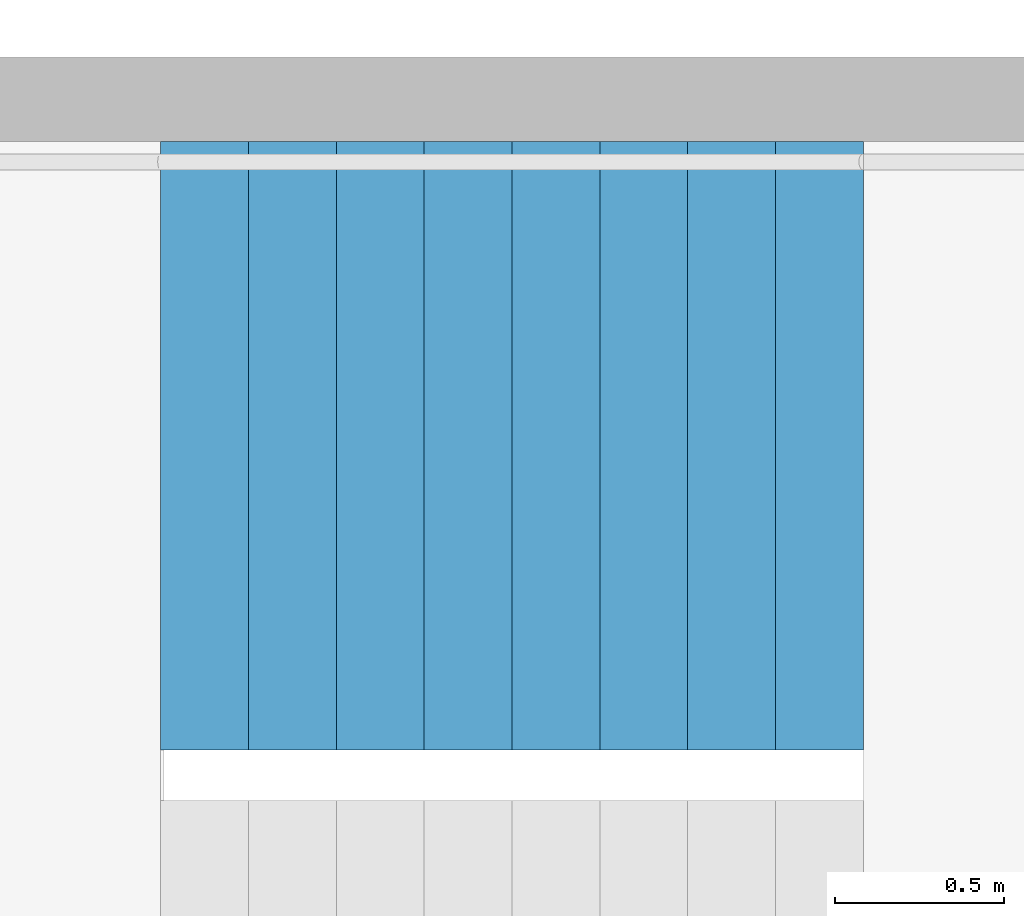
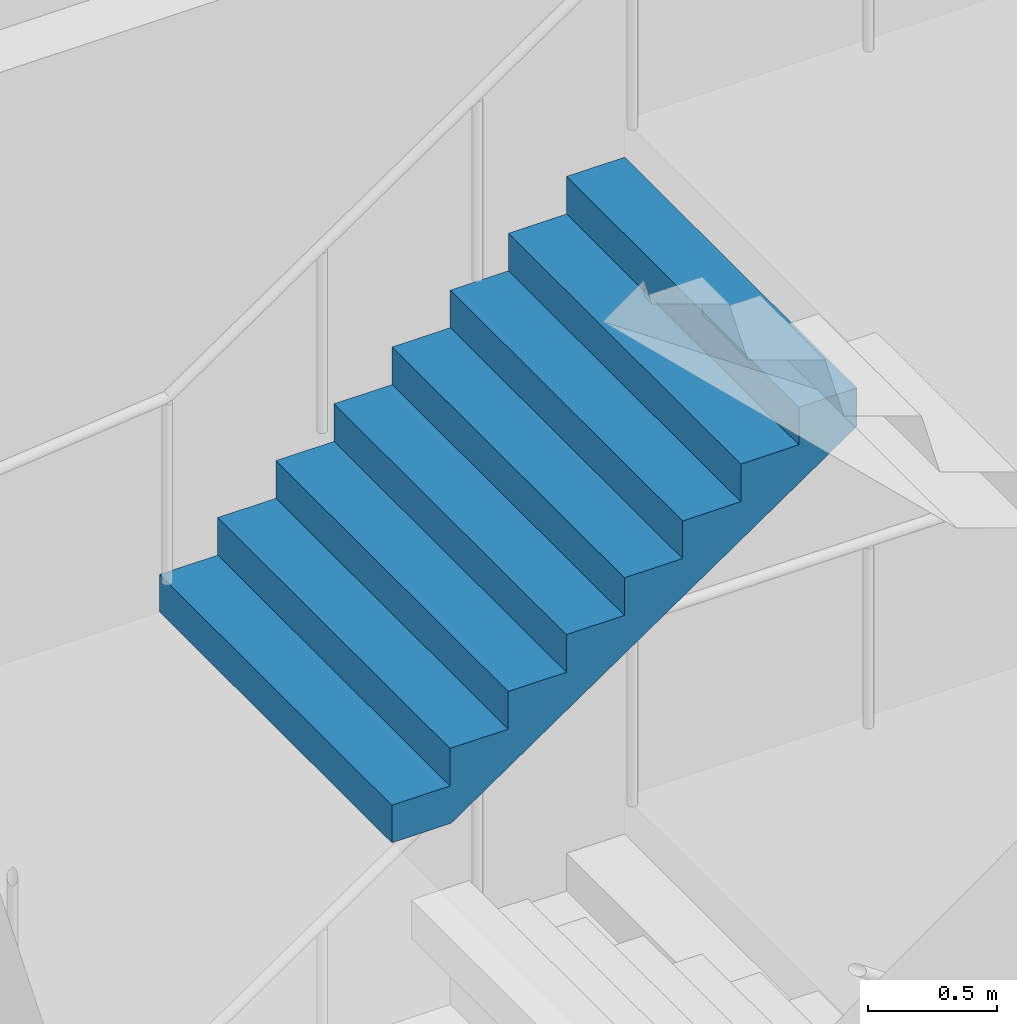
# One storey, part 28 of 44: 1 stair flight, 1 element without a shape of its own.
"""IFC4 building model written with IfcOpenShell, lengths in metres."""

from ifc_helpers import new_model, si_unit, direction, frame, origin, place, context, subcontext, project, spatial, triangles, material, type_object, element, aggregate, save


model = new_model("IFC4")

# Units and contexts
model_context = context("Model", 3, precision=1e-05, world=origin(), true_north=direction((0.0, 1.0)))
body_context = subcontext(model_context, "Body", "Model", "MODEL_VIEW")
ifc_project = project(units=[si_unit("LENGTHUNIT", "METRE"), si_unit("AREAUNIT", "SQUARE_METRE"), si_unit("VOLUMEUNIT", "CUBIC_METRE"), si_unit("PLANEANGLEUNIT", "RADIAN"), si_unit("MASSUNIT", "GRAM", prefix="KILO")], contexts=[model_context])

# Site, building, storey
site_placement = place(None, origin())
site = spatial("IfcSite", under=ifc_project, at=site_placement, CompositionType="ELEMENT")
building_placement = place(site_placement, origin())
building = spatial("IfcBuilding", under=site, at=building_placement, Name="Hakoniwa Tower and Hamabe Station Hall", CompositionType="ELEMENT")
storey_placement = place(building_placement, frame((0.0, 0.0, 69.0)))
storey = spatial("IfcBuildingStorey", under=building, at=storey_placement, Name="L19", CompositionType="ELEMENT", Elevation=69.0)

# Stair, stair flight
ifc_material_1 = material(Name="Concrete C40", Category="concrete")
stair_type = type_object("IfcStairType", Name="ESCAPE STAIR 1800", PredefinedType="HALF_TURN_STAIR", material=ifc_material_1)
stair_placement = place(storey_placement, origin())
stair = element("IfcStair", 1, at=stair_placement, inside=storey, type_object=stair_type, Name="Escape stair ST-4 L19", PredefinedType="HALF_TURN_STAIR")
ifc_material_2 = material(Name="Concrete C40", Category="concrete")
stair_flight_type = type_object("IfcStairFlightType", Name="STAIR FLIGHT 1800", PredefinedType="STRAIGHT", material=ifc_material_2)
stair_flight_placement = place(storey_placement, frame((23.39990234375, -4.64990234375, 3.199951171875), z_axis=(0.0, 0.0, 1.0), x_axis=(1.0, 0.0, 0.0)))
stair_flight = element("IfcStairFlight", 2, at=stair_flight_placement, type_object=stair_flight_type, Name="ST-4 flight 3", NumberOfRisers=9, NumberOfTreads=8, PredefinedType="STRAIGHT", RiserHeight=0.177777778, TreadLength=0.26, context=body_context, shape_type="Tessellation", body=[
    triangles([(0.0, 0.89990234375, 0.0), (0.260009765625, 0.89990234375, 0.0), (0.265625, 0.89990234375, 0.0), (0.52001953125, 0.89990234375, 0.174072265625), (0.780029296875, 0.89990234375, 0.351806640625), (1.0400390625, 0.89990234375, 0.529541015625), (1.300048828125, 0.89990234375, 0.707275390625), (1.56005859375, 0.89990234375, 0.885009765625), (1.820068359375, 0.89990234375, 1.062744140625), (2.080078125, 0.89990234375, 1.24072265625), (2.080078125, 0.89990234375, 1.422119140625), (1.820068359375, 0.89990234375, 1.422119140625), (1.820068359375, 0.89990234375, 1.244384765625), (1.56005859375, 0.89990234375, 1.244384765625), (1.56005859375, 0.89990234375, 1.066650390625), (1.300048828125, 0.89990234375, 1.066650390625), (1.300048828125, 0.89990234375, 0.888916015625), (1.0400390625, 0.89990234375, 0.888916015625), (1.0400390625, 0.89990234375, 0.711181640625), (0.780029296875, 0.89990234375, 0.711181640625), (0.780029296875, 0.89990234375, 0.533447265625), (0.52001953125, 0.89990234375, 0.533447265625), (0.52001953125, 0.89990234375, 0.35546875), (0.265625, 0.89990234375, 0.35546875), (0.260009765625, 0.89990234375, 0.35546875), (0.260009765625, 0.89990234375, 0.177734375), (0.0, 0.89990234375, 0.177734375), (0.0, 0.06005859375, 0.0), (0.260009765625, 0.06005859375, 0.0), (0.265625, 0.06005859375, 0.0), (0.52001953125, 0.06005859375, 0.174072265625), (0.780029296875, 0.06005859375, 0.351806640625), (1.0400390625, 0.06005859375, 0.529541015625), (1.300048828125, 0.06005859375, 0.707275390625), (1.56005859375, 0.06005859375, 0.885009765625), (1.820068359375, 0.06005859375, 1.062744140625), (2.080078125, 0.06005859375, 1.24072265625), (2.080078125, 0.06005859375, 1.422119140625), (1.820068359375, 0.06005859375, 1.422119140625), (1.820068359375, 0.06005859375, 1.244384765625), (1.56005859375, 0.06005859375, 1.244384765625), (1.56005859375, 0.06005859375, 1.066650390625), (1.300048828125, 0.06005859375, 1.066650390625), (1.300048828125, 0.06005859375, 0.888916015625), (1.0400390625, 0.06005859375, 0.888916015625), (1.0400390625, 0.06005859375, 0.711181640625), (0.780029296875, 0.06005859375, 0.711181640625), (0.780029296875, 0.06005859375, 0.533447265625), (0.52001953125, 0.06005859375, 0.533447265625), (0.52001953125, 0.06005859375, 0.35546875), (0.265625, 0.06005859375, 0.35546875), (0.260009765625, 0.06005859375, 0.35546875), (0.260009765625, 0.06005859375, 0.177734375), (0.0, 0.06005859375, 0.177734375), (0.0, 0.04296875, 0.0), (0.260009765625, 0.04296875, 0.0), (0.265625, 0.04296875, 0.0), (0.52001953125, 0.04296875, 0.174072265625), (0.780029296875, 0.04296875, 0.351806640625), (1.0400390625, 0.04296875, 0.529541015625), (1.300048828125, 0.04296875, 0.707275390625), (1.56005859375, 0.04296875, 0.885009765625), (1.820068359375, 0.04296875, 1.062744140625), (2.080078125, 0.04296875, 1.24072265625), (2.080078125, 0.04296875, 1.422119140625), (1.820068359375, 0.04296875, 1.422119140625), (1.820068359375, 0.04296875, 1.244384765625), (1.56005859375, 0.04296875, 1.244384765625), (1.56005859375, 0.04296875, 1.066650390625), (1.300048828125, 0.04296875, 1.066650390625), (1.300048828125, 0.04296875, 0.888916015625), (1.0400390625, 0.04296875, 0.888916015625), (1.0400390625, 0.04296875, 0.711181640625), (0.780029296875, 0.04296875, 0.711181640625), (0.780029296875, 0.04296875, 0.533447265625), (0.52001953125, 0.04296875, 0.533447265625), (0.52001953125, 0.04296875, 0.35546875), (0.265625, 0.04296875, 0.35546875), (0.260009765625, 0.04296875, 0.35546875), (0.260009765625, 0.04296875, 0.177734375), (0.0, 0.04296875, 0.177734375), (0.0, 0.025634765625, 0.0), (0.260009765625, 0.025634765625, 0.0), (0.265625, 0.025634765625, 0.0), (0.52001953125, 0.025634765625, 0.174072265625), (0.780029296875, 0.025634765625, 0.351806640625), (1.0400390625, 0.025634765625, 0.529541015625), (1.300048828125, 0.025634765625, 0.707275390625), (1.56005859375, 0.025634765625, 0.885009765625), (1.820068359375, 0.025634765625, 1.062744140625), (2.080078125, 0.025634765625, 1.24072265625), (2.080078125, 0.025634765625, 1.422119140625), (1.820068359375, 0.025634765625, 1.422119140625), (1.820068359375, 0.025634765625, 1.244384765625), (1.56005859375, 0.025634765625, 1.244384765625), (1.56005859375, 0.025634765625, 1.066650390625), (1.300048828125, 0.025634765625, 1.066650390625), (1.300048828125, 0.025634765625, 0.888916015625), (1.0400390625, 0.025634765625, 0.888916015625), (1.0400390625, 0.025634765625, 0.711181640625), (0.780029296875, 0.025634765625, 0.711181640625), (0.780029296875, 0.025634765625, 0.533447265625), (0.52001953125, 0.025634765625, 0.533447265625), (0.52001953125, 0.025634765625, 0.35546875), (0.265625, 0.025634765625, 0.35546875), (0.260009765625, 0.025634765625, 0.35546875), (0.260009765625, 0.025634765625, 0.177734375), (0.0, 0.025634765625, 0.177734375), (0.0, 0.008544921875, 0.0), (0.260009765625, 0.008544921875, 0.0), (0.265625, 0.008544921875, 0.0), (0.52001953125, 0.008544921875, 0.174072265625), (0.780029296875, 0.008544921875, 0.351806640625), (1.0400390625, 0.008544921875, 0.529541015625), (1.300048828125, 0.008544921875, 0.707275390625), (1.56005859375, 0.008544921875, 0.885009765625), (1.820068359375, 0.008544921875, 1.062744140625), (2.080078125, 0.008544921875, 1.24072265625), (2.080078125, 0.008544921875, 1.422119140625), (1.820068359375, 0.008544921875, 1.422119140625), (1.820068359375, 0.008544921875, 1.244384765625), (1.56005859375, 0.008544921875, 1.244384765625), (1.56005859375, 0.008544921875, 1.066650390625), (1.300048828125, 0.008544921875, 1.066650390625), (1.300048828125, 0.008544921875, 0.888916015625), (1.0400390625, 0.008544921875, 0.888916015625), (1.0400390625, 0.008544921875, 0.711181640625), (0.780029296875, 0.008544921875, 0.711181640625), (0.780029296875, 0.008544921875, 0.533447265625), (0.52001953125, 0.008544921875, 0.533447265625), (0.52001953125, 0.008544921875, 0.35546875), (0.265625, 0.008544921875, 0.35546875), (0.260009765625, 0.008544921875, 0.35546875), (0.260009765625, 0.008544921875, 0.177734375), (0.0, 0.008544921875, 0.177734375), (0.0, -0.008544921875, 0.0), (0.260009765625, -0.008544921875, 0.0), (0.265625, -0.008544921875, 0.0), (0.52001953125, -0.008544921875, 0.174072265625), (0.780029296875, -0.008544921875, 0.351806640625), (1.0400390625, -0.008544921875, 0.529541015625), (1.300048828125, -0.008544921875, 0.707275390625), (1.56005859375, -0.008544921875, 0.885009765625), (1.820068359375, -0.008544921875, 1.062744140625), (2.080078125, -0.008544921875, 1.24072265625), (2.080078125, -0.008544921875, 1.422119140625), (1.820068359375, -0.008544921875, 1.422119140625), (1.820068359375, -0.008544921875, 1.244384765625), (1.56005859375, -0.008544921875, 1.244384765625), (1.56005859375, -0.008544921875, 1.066650390625), (1.300048828125, -0.008544921875, 1.066650390625), (1.300048828125, -0.008544921875, 0.888916015625), (1.0400390625, -0.008544921875, 0.888916015625), (1.0400390625, -0.008544921875, 0.711181640625), (0.780029296875, -0.008544921875, 0.711181640625), (0.780029296875, -0.008544921875, 0.533447265625), (0.52001953125, -0.008544921875, 0.533447265625), (0.52001953125, -0.008544921875, 0.35546875), (0.265625, -0.008544921875, 0.35546875), (0.260009765625, -0.008544921875, 0.35546875), (0.260009765625, -0.008544921875, 0.177734375), (0.0, -0.008544921875, 0.177734375), (0.0, -0.025634765625, 0.0), (0.260009765625, -0.025634765625, 0.0), (0.265625, -0.025634765625, 0.0), (0.52001953125, -0.025634765625, 0.174072265625), (0.780029296875, -0.025634765625, 0.351806640625), (1.0400390625, -0.025634765625, 0.529541015625), (1.300048828125, -0.025634765625, 0.707275390625), (1.56005859375, -0.025634765625, 0.885009765625), (1.820068359375, -0.025634765625, 1.062744140625), (2.080078125, -0.025634765625, 1.24072265625), (2.080078125, -0.025634765625, 1.422119140625), (1.820068359375, -0.025634765625, 1.422119140625), (1.820068359375, -0.025634765625, 1.244384765625), (1.56005859375, -0.025634765625, 1.244384765625), (1.56005859375, -0.025634765625, 1.066650390625), (1.300048828125, -0.025634765625, 1.066650390625), (1.300048828125, -0.025634765625, 0.888916015625), (1.0400390625, -0.025634765625, 0.888916015625), (1.0400390625, -0.025634765625, 0.711181640625), (0.780029296875, -0.025634765625, 0.711181640625), (0.780029296875, -0.025634765625, 0.533447265625), (0.52001953125, -0.025634765625, 0.533447265625), (0.52001953125, -0.025634765625, 0.35546875), (0.265625, -0.025634765625, 0.35546875), (0.260009765625, -0.025634765625, 0.35546875), (0.260009765625, -0.025634765625, 0.177734375), (0.0, -0.025634765625, 0.177734375), (0.0, -0.04296875, 0.0), (0.260009765625, -0.04296875, 0.0), (0.265625, -0.04296875, 0.0), (0.52001953125, -0.04296875, 0.174072265625), (0.780029296875, -0.04296875, 0.351806640625), (1.0400390625, -0.04296875, 0.529541015625), (1.300048828125, -0.04296875, 0.707275390625), (1.56005859375, -0.04296875, 0.885009765625), (1.820068359375, -0.04296875, 1.062744140625), (2.080078125, -0.04296875, 1.24072265625), (2.080078125, -0.04296875, 1.422119140625), (1.820068359375, -0.04296875, 1.422119140625), (1.820068359375, -0.04296875, 1.244384765625), (1.56005859375, -0.04296875, 1.244384765625), (1.56005859375, -0.04296875, 1.066650390625), (1.300048828125, -0.04296875, 1.066650390625), (1.300048828125, -0.04296875, 0.888916015625), (1.0400390625, -0.04296875, 0.888916015625), (1.0400390625, -0.04296875, 0.711181640625), (0.780029296875, -0.04296875, 0.711181640625), (0.780029296875, -0.04296875, 0.533447265625), (0.52001953125, -0.04296875, 0.533447265625), (0.52001953125, -0.04296875, 0.35546875), (0.265625, -0.04296875, 0.35546875), (0.260009765625, -0.04296875, 0.35546875), (0.260009765625, -0.04296875, 0.177734375), (0.0, -0.04296875, 0.177734375), (0.0, -0.06005859375, 0.0), (0.260009765625, -0.06005859375, 0.0), (0.265625, -0.06005859375, 0.0), (0.52001953125, -0.06005859375, 0.174072265625), (0.780029296875, -0.06005859375, 0.351806640625), (1.0400390625, -0.06005859375, 0.529541015625), (1.300048828125, -0.06005859375, 0.707275390625), (1.56005859375, -0.06005859375, 0.885009765625), (1.820068359375, -0.06005859375, 1.062744140625), (2.080078125, -0.06005859375, 1.24072265625), (2.080078125, -0.06005859375, 1.422119140625), (1.820068359375, -0.06005859375, 1.422119140625), (1.820068359375, -0.06005859375, 1.244384765625), (1.56005859375, -0.06005859375, 1.244384765625), (1.56005859375, -0.06005859375, 1.066650390625), (1.300048828125, -0.06005859375, 1.066650390625), (1.300048828125, -0.06005859375, 0.888916015625), (1.0400390625, -0.06005859375, 0.888916015625), (1.0400390625, -0.06005859375, 0.711181640625), (0.780029296875, -0.06005859375, 0.711181640625), (0.780029296875, -0.06005859375, 0.533447265625), (0.52001953125, -0.06005859375, 0.533447265625), (0.52001953125, -0.06005859375, 0.35546875), (0.265625, -0.06005859375, 0.35546875), (0.260009765625, -0.06005859375, 0.35546875), (0.260009765625, -0.06005859375, 0.177734375), (0.0, -0.06005859375, 0.177734375), (0.0, -0.89990234375, 0.0), (0.260009765625, -0.89990234375, 0.0), (0.265625, -0.89990234375, 0.0), (0.52001953125, -0.89990234375, 0.174072265625), (0.780029296875, -0.89990234375, 0.351806640625), (1.0400390625, -0.89990234375, 0.529541015625), (1.300048828125, -0.89990234375, 0.707275390625), (1.56005859375, -0.89990234375, 0.885009765625), (1.820068359375, -0.89990234375, 1.062744140625), (2.080078125, -0.89990234375, 1.24072265625), (2.080078125, -0.89990234375, 1.422119140625), (1.820068359375, -0.89990234375, 1.422119140625), (1.820068359375, -0.89990234375, 1.244384765625), (1.56005859375, -0.89990234375, 1.244384765625), (1.56005859375, -0.89990234375, 1.066650390625), (1.300048828125, -0.89990234375, 1.066650390625), (1.300048828125, -0.89990234375, 0.888916015625), (1.0400390625, -0.89990234375, 0.888916015625), (1.0400390625, -0.89990234375, 0.711181640625), (0.780029296875, -0.89990234375, 0.711181640625), (0.780029296875, -0.89990234375, 0.533447265625), (0.52001953125, -0.89990234375, 0.533447265625), (0.52001953125, -0.89990234375, 0.35546875), (0.265625, -0.89990234375, 0.35546875), (0.260009765625, -0.89990234375, 0.35546875), (0.260009765625, -0.89990234375, 0.177734375), (0.0, -0.89990234375, 0.177734375)], [[2, 27, 26], [245, 269, 270], [2, 1, 27], [245, 270, 244], [3, 25, 24], [246, 267, 268], [3, 26, 25], [246, 268, 269], [3, 2, 26], [246, 269, 245], [4, 24, 23], [247, 266, 267], [4, 3, 24], [247, 267, 246], [5, 22, 21], [248, 264, 265], [5, 23, 22], [248, 265, 266], [5, 4, 23], [248, 266, 247], [6, 20, 19], [249, 262, 263], [6, 21, 20], [249, 263, 264], [6, 5, 21], [249, 264, 248], [7, 18, 17], [250, 260, 261], [7, 19, 18], [250, 261, 262], [7, 6, 19], [250, 262, 249], [8, 16, 15], [251, 258, 259], [8, 17, 16], [251, 259, 260], [8, 7, 17], [251, 260, 250], [9, 14, 13], [252, 256, 257], [9, 15, 14], [252, 257, 258], [9, 8, 15], [252, 258, 251], [10, 12, 11], [253, 254, 255], [10, 13, 12], [253, 255, 256], [10, 9, 13], [253, 256, 252], [1, 2, 29], [1, 29, 28], [28, 29, 56], [28, 56, 55], [55, 56, 83], [55, 83, 82], [82, 83, 110], [82, 110, 109], [109, 110, 137], [109, 137, 136], [136, 137, 164], [136, 164, 163], [163, 164, 191], [163, 191, 190], [190, 191, 218], [190, 218, 217], [217, 218, 245], [217, 245, 244], [2, 3, 30], [2, 30, 29], [29, 30, 57], [29, 57, 56], [56, 57, 84], [56, 84, 83], [83, 84, 111], [83, 111, 110], [110, 111, 138], [110, 138, 137], [137, 138, 165], [137, 165, 164], [164, 165, 192], [164, 192, 191], [191, 192, 219], [191, 219, 218], [218, 219, 246], [218, 246, 245], [3, 4, 31], [3, 31, 30], [30, 31, 58], [30, 58, 57], [57, 58, 85], [57, 85, 84], [84, 85, 112], [84, 112, 111], [111, 112, 139], [111, 139, 138], [138, 139, 166], [138, 166, 165], [165, 166, 193], [165, 193, 192], [192, 193, 220], [192, 220, 219], [219, 220, 247], [219, 247, 246], [4, 5, 32], [4, 32, 31], [31, 32, 59], [31, 59, 58], [58, 59, 86], [58, 86, 85], [85, 86, 113], [85, 113, 112], [112, 113, 140], [112, 140, 139], [139, 140, 167], [139, 167, 166], [166, 167, 194], [166, 194, 193], [193, 194, 221], [193, 221, 220], [220, 221, 248], [220, 248, 247], [5, 6, 33], [5, 33, 32], [32, 33, 60], [32, 60, 59], [59, 60, 87], [59, 87, 86], [86, 87, 114], [86, 114, 113], [113, 114, 141], [113, 141, 140], [140, 141, 168], [140, 168, 167], [167, 168, 195], [167, 195, 194], [194, 195, 222], [194, 222, 221], [221, 222, 249], [221, 249, 248], [6, 7, 34], [6, 34, 33], [33, 34, 61], [33, 61, 60], [60, 61, 88], [60, 88, 87], [87, 88, 115], [87, 115, 114], [114, 115, 142], [114, 142, 141], [141, 142, 169], [141, 169, 168], [168, 169, 196], [168, 196, 195], [195, 196, 223], [195, 223, 222], [222, 223, 250], [222, 250, 249], [7, 8, 35], [7, 35, 34], [34, 35, 62], [34, 62, 61], [61, 62, 89], [61, 89, 88], [88, 89, 116], [88, 116, 115], [115, 116, 143], [115, 143, 142], [142, 143, 170], [142, 170, 169], [169, 170, 197], [169, 197, 196], [196, 197, 224], [196, 224, 223], [223, 224, 251], [223, 251, 250], [8, 9, 36], [8, 36, 35], [35, 36, 63], [35, 63, 62], [62, 63, 90], [62, 90, 89], [89, 90, 117], [89, 117, 116], [116, 117, 144], [116, 144, 143], [143, 144, 171], [143, 171, 170], [170, 171, 198], [170, 198, 197], [197, 198, 225], [197, 225, 224], [224, 225, 252], [224, 252, 251], [9, 10, 37], [9, 37, 36], [36, 37, 64], [36, 64, 63], [63, 64, 91], [63, 91, 90], [90, 91, 118], [90, 118, 117], [117, 118, 145], [117, 145, 144], [144, 145, 172], [144, 172, 171], [171, 172, 199], [171, 199, 198], [198, 199, 226], [198, 226, 225], [225, 226, 253], [225, 253, 252], [10, 11, 38], [10, 38, 37], [37, 38, 65], [37, 65, 64], [64, 65, 92], [64, 92, 91], [91, 92, 119], [91, 119, 118], [118, 119, 146], [118, 146, 145], [145, 146, 173], [145, 173, 172], [172, 173, 200], [172, 200, 199], [199, 200, 227], [199, 227, 226], [226, 227, 254], [226, 254, 253], [11, 12, 39], [11, 39, 38], [38, 39, 66], [38, 66, 65], [65, 66, 93], [65, 93, 92], [92, 93, 120], [92, 120, 119], [119, 120, 147], [119, 147, 146], [146, 147, 174], [146, 174, 173], [173, 174, 201], [173, 201, 200], [200, 201, 228], [200, 228, 227], [227, 228, 255], [227, 255, 254], [12, 13, 40], [12, 40, 39], [39, 40, 67], [39, 67, 66], [66, 67, 94], [66, 94, 93], [93, 94, 121], [93, 121, 120], [120, 121, 148], [120, 148, 147], [147, 148, 175], [147, 175, 174], [174, 175, 202], [174, 202, 201], [201, 202, 229], [201, 229, 228], [228, 229, 256], [228, 256, 255], [13, 14, 41], [13, 41, 40], [40, 41, 68], [40, 68, 67], [67, 68, 95], [67, 95, 94], [94, 95, 122], [94, 122, 121], [121, 122, 149], [121, 149, 148], [148, 149, 176], [148, 176, 175], [175, 176, 203], [175, 203, 202], [202, 203, 230], [202, 230, 229], [229, 230, 257], [229, 257, 256], [14, 15, 42], [14, 42, 41], [41, 42, 69], [41, 69, 68], [68, 69, 96], [68, 96, 95], [95, 96, 123], [95, 123, 122], [122, 123, 150], [122, 150, 149], [149, 150, 177], [149, 177, 176], [176, 177, 204], [176, 204, 203], [203, 204, 231], [203, 231, 230], [230, 231, 258], [230, 258, 257], [15, 16, 43], [15, 43, 42], [42, 43, 70], [42, 70, 69], [69, 70, 97], [69, 97, 96], [96, 97, 124], [96, 124, 123], [123, 124, 151], [123, 151, 150], [150, 151, 178], [150, 178, 177], [177, 178, 205], [177, 205, 204], [204, 205, 232], [204, 232, 231], [231, 232, 259], [231, 259, 258], [16, 17, 44], [16, 44, 43], [43, 44, 71], [43, 71, 70], [70, 71, 98], [70, 98, 97], [97, 98, 125], [97, 125, 124], [124, 125, 152], [124, 152, 151], [151, 152, 179], [151, 179, 178], [178, 179, 206], [178, 206, 205], [205, 206, 233], [205, 233, 232], [232, 233, 260], [232, 260, 259], [17, 18, 45], [17, 45, 44], [44, 45, 72], [44, 72, 71], [71, 72, 99], [71, 99, 98], [98, 99, 126], [98, 126, 125], [125, 126, 153], [125, 153, 152], [152, 153, 180], [152, 180, 179], [179, 180, 207], [179, 207, 206], [206, 207, 234], [206, 234, 233], [233, 234, 261], [233, 261, 260], [18, 19, 46], [18, 46, 45], [45, 46, 73], [45, 73, 72], [72, 73, 100], [72, 100, 99], [99, 100, 127], [99, 127, 126], [126, 127, 154], [126, 154, 153], [153, 154, 181], [153, 181, 180], [180, 181, 208], [180, 208, 207], [207, 208, 235], [207, 235, 234], [234, 235, 262], [234, 262, 261], [19, 20, 47], [19, 47, 46], [46, 47, 74], [46, 74, 73], [73, 74, 101], [73, 101, 100], [100, 101, 128], [100, 128, 127], [127, 128, 155], [127, 155, 154], [154, 155, 182], [154, 182, 181], [181, 182, 209], [181, 209, 208], [208, 209, 236], [208, 236, 235], [235, 236, 263], [235, 263, 262], [20, 21, 48], [20, 48, 47], [47, 48, 75], [47, 75, 74], [74, 75, 102], [74, 102, 101], [101, 102, 129], [101, 129, 128], [128, 129, 156], [128, 156, 155], [155, 156, 183], [155, 183, 182], [182, 183, 210], [182, 210, 209], [209, 210, 237], [209, 237, 236], [236, 237, 264], [236, 264, 263], [21, 22, 49], [21, 49, 48], [48, 49, 76], [48, 76, 75], [75, 76, 103], [75, 103, 102], [102, 103, 130], [102, 130, 129], [129, 130, 157], [129, 157, 156], [156, 157, 184], [156, 184, 183], [183, 184, 211], [183, 211, 210], [210, 211, 238], [210, 238, 237], [237, 238, 265], [237, 265, 264], [22, 23, 50], [22, 50, 49], [49, 50, 77], [49, 77, 76], [76, 77, 104], [76, 104, 103], [103, 104, 131], [103, 131, 130], [130, 131, 158], [130, 158, 157], [157, 158, 185], [157, 185, 184], [184, 185, 212], [184, 212, 211], [211, 212, 239], [211, 239, 238], [238, 239, 266], [238, 266, 265], [23, 24, 51], [23, 51, 50], [50, 51, 78], [50, 78, 77], [77, 78, 105], [77, 105, 104], [104, 105, 132], [104, 132, 131], [131, 132, 159], [131, 159, 158], [158, 159, 186], [158, 186, 185], [185, 186, 213], [185, 213, 212], [212, 213, 240], [212, 240, 239], [239, 240, 267], [239, 267, 266], [24, 25, 52], [24, 52, 51], [51, 52, 79], [51, 79, 78], [78, 79, 106], [78, 106, 105], [105, 106, 133], [105, 133, 132], [132, 133, 160], [132, 160, 159], [159, 160, 187], [159, 187, 186], [186, 187, 214], [186, 214, 213], [213, 214, 241], [213, 241, 240], [240, 241, 268], [240, 268, 267], [25, 26, 53], [25, 53, 52], [52, 53, 80], [52, 80, 79], [79, 80, 107], [79, 107, 106], [106, 107, 134], [106, 134, 133], [133, 134, 161], [133, 161, 160], [160, 161, 188], [160, 188, 187], [187, 188, 215], [187, 215, 214], [214, 215, 242], [214, 242, 241], [241, 242, 269], [241, 269, 268], [26, 27, 54], [26, 54, 53], [53, 54, 81], [53, 81, 80], [80, 81, 108], [80, 108, 107], [107, 108, 135], [107, 135, 134], [134, 135, 162], [134, 162, 161], [161, 162, 189], [161, 189, 188], [188, 189, 216], [188, 216, 215], [215, 216, 243], [215, 243, 242], [242, 243, 270], [242, 270, 269], [27, 1, 28], [27, 28, 54], [54, 28, 55], [54, 55, 81], [81, 55, 82], [81, 82, 108], [108, 82, 109], [108, 109, 135], [135, 109, 136], [135, 136, 162], [162, 136, 163], [162, 163, 189], [189, 163, 190], [189, 190, 216], [216, 190, 217], [216, 217, 243], [243, 217, 244], [243, 244, 270]], closed=True),
])
aggregate(stair, [stair_flight])

save(model, "model.ifc")
